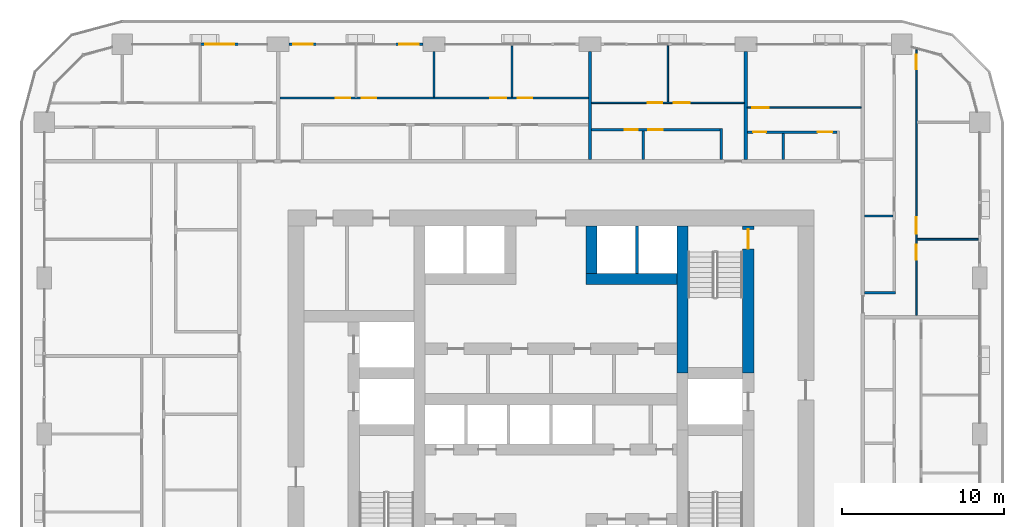
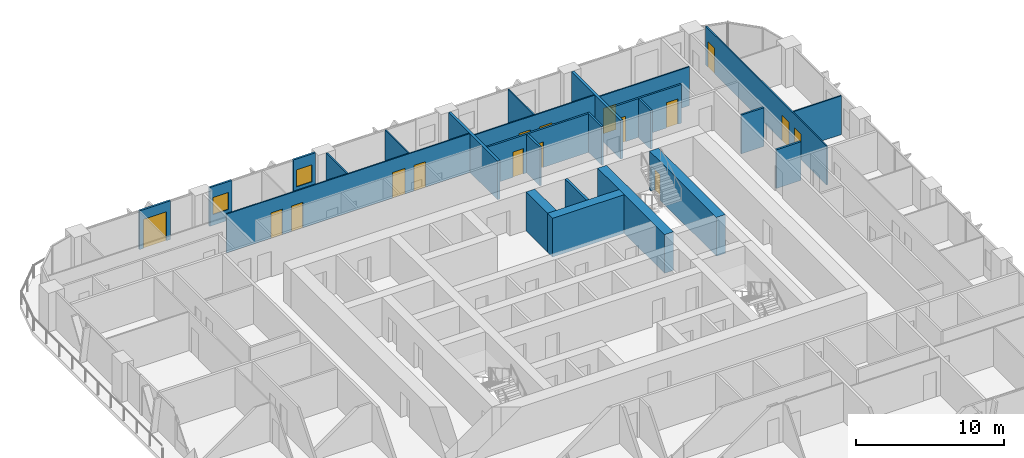
# One storey, part 14 of 21: 25 walls, 16 doors, 2 windows, 18 openings.
"""IFC4 building model written with IfcOpenShell, lengths in metres."""

from ifc_helpers import new_model, si_unit, direction, frame, frame_2d, origin, place, context, subcontext, project, spatial, rectangle, extrude, material, layer, layer_set, type_object, element, fill, save


model = new_model("IFC4")

# Units and contexts
model_context = context("Model", 3, precision=1e-05, world=origin(), true_north=direction((0.0, 1.0)))
body_context = subcontext(model_context, "Body", "Model", "MODEL_VIEW")
ifc_project = project(units=[si_unit("LENGTHUNIT", "METRE"), si_unit("AREAUNIT", "SQUARE_METRE"), si_unit("VOLUMEUNIT", "CUBIC_METRE"), si_unit("PLANEANGLEUNIT", "RADIAN"), si_unit("MASSUNIT", "GRAM", prefix="KILO")], contexts=[model_context])

# Site, building, storey
site_placement = place(None, origin())
site = spatial("IfcSite", under=ifc_project, at=site_placement, CompositionType="ELEMENT")
building_placement = place(site_placement, origin())
building = spatial("IfcBuilding", under=site, at=building_placement, Name="Madar Terraces", CompositionType="ELEMENT")
storey_placement = place(building_placement, frame((0.0, 0.0, 36.39990234375)))
storey = spatial("IfcBuildingStorey", under=building, at=storey_placement, Name="L08", CompositionType="ELEMENT", Elevation=36.39990234375)

# Wall
ifc_material_1 = material(Name="Concrete C80/95", Category="concrete")
ifc_layer_1 = layer(ifc_material_1, 0.699951171875)
ifc_layer_set_1 = layer_set([ifc_layer_1], Name="Concrete C80/95 (CIW1 RC wall 700)")
wall_type_1 = type_object("IfcWallType", Name="CIW1 RC wall 700", PredefinedType="SHEAR", material=ifc_layer_set_1)
wall_1_placement = place(storey_placement, frame((39.300048828125, 27.75, 0.0), z_axis=(0.0, 0.0, 1.0), x_axis=(0.0, 1.0, 0.0)))
element("IfcWall", 1, at=wall_1_placement, inside=storey, type_object=wall_type_1, Name="CORE SHAFT WALL", PredefinedType="SHEAR", context=body_context, shape_type="SweptSolid", body=[
    extrude(rectangle(XDim=9.050048828125, YDim=0.699951171875, at=frame_2d((4.52490234375, 0.0))), origin(), (0.0, 0.0, 1.0), 3.2001953125),
])

# Wall, opening, door
wall_2_placement = place(storey_placement, frame((43.35009765625, 27.75, 0.0), z_axis=(0.0, 0.0, 1.0), x_axis=(0.0, 1.0, 0.0)))
wall_2 = element("IfcWall", 2, at=wall_2_placement, inside=storey, type_object=wall_type_1, Name="CORE SHAFT WALL", PredefinedType="SHEAR", context=body_context, shape_type="SweptSolid", body=[
    extrude(rectangle(XDim=9.050048828125, YDim=0.699951171875, at=frame_2d((4.52490234375, 0.0))), origin(), (0.0, 0.0, 1.0), 3.2001953125),
])
opening_1_placement = place(wall_2_placement, frame((7.64990234375, 0.0, 0.0)))
opening_1 = element("IfcOpeningElement", 3, at=opening_1_placement, cuts=wall_2, Name="Opening SD1", PredefinedType="OPENING", context=body_context, shape_type="SweptSolid", body=[
    extrude(rectangle(XDim=1.199951171875, YDim=2.10009765625, at=frame_2d((0.60009765625, 1.050048828125))), frame((0.0, 0.35986328125, 0.0), z_axis=(0.0, -1.0, 0.0), x_axis=(1.0, 0.0, 0.0)), (0.0, 0.0, 1.0), 0.719970703125),
])
ifc_material_2 = material(Name="Steel door leaf", Category="steel")
door_type_1 = type_object("IfcDoorType", Name="Stair door 1200 x 2100", OperationType="NOTDEFINED", PredefinedType="DOOR", material=ifc_material_2)
door_1_placement = place(opening_1_placement, origin())
door_1 = element("IfcDoor", 4, at=door_1_placement, inside=storey, type_object=door_type_1, Name="STAIR DOOR", OperationType="SINGLE_SWING_RIGHT", OverallHeight=2.10009765625, OverallWidth=1.199951171875, PredefinedType="DOOR", context=body_context, shape_type="SweptSolid", body=[
    extrude(rectangle(XDim=1.199951171875, YDim=2.10009765625, at=frame_2d((0.60009765625, 1.050048828125))), frame((0.0, 0.02490234375, 0.0), z_axis=(0.0, -1.0, 0.0), x_axis=(1.0, 0.0, 0.0)), (0.0, 0.0, 1.0), 0.050048828125),
])
fill(opening_1, door_1)

# Walls
wall_3_placement = place(storey_placement, frame((33.35009765625, 33.550048828125, 0.0), z_axis=(0.0, 0.0, 1.0), x_axis=(1.0, 0.0, 0.0)))
element("IfcWall", 5, at=wall_3_placement, inside=storey, type_object=wall_type_1, Name="CORE SHAFT WALL", PredefinedType="SHEAR", context=body_context, shape_type="SweptSolid", body=[
    extrude(rectangle(XDim=5.599853515625, YDim=0.699951171875, at=frame_2d((2.7998046875, 0.0))), origin(), (0.0, 0.0, 1.0), 3.2001953125),
])
wall_4_placement = place(storey_placement, frame((33.699951171875, 33.89990234375, 0.0), z_axis=(0.0, 0.0, 1.0), x_axis=(0.0, 1.0, 0.0)))
element("IfcWall", 6, at=wall_4_placement, inside=storey, type_object=wall_type_1, Name="CORE SHAFT WALL", PredefinedType="SHEAR", context=body_context, shape_type="SweptSolid", body=[
    extrude(rectangle(XDim=2.900146484375, YDim=0.699951171875, at=frame_2d((1.4501953125, 0.0))), origin(), (0.0, 0.0, 1.0), 3.2001953125),
])
ifc_material_3 = material(Name="Concrete C40/50", Category="concrete")
ifc_layer_2 = layer(ifc_material_3, 0.199951171875)
ifc_layer_set_2 = layer_set([ifc_layer_2], Name="Core shaft dividing wall 200 C40/50")
wall_type_2 = type_object("IfcWallType", Name="Core shaft dividing wall 200 C40/50", PredefinedType="SOLIDWALL", material=ifc_layer_set_2)
wall_5_placement = place(storey_placement, frame((36.5, 33.89990234375, 0.0), z_axis=(0.0, 0.0, 1.0), x_axis=(0.0, 1.0, 0.0)))
element("IfcWall", 7, at=wall_5_placement, inside=storey, type_object=wall_type_2, Name="SHAFT DIVIDING WALL", PredefinedType="SOLIDWALL", context=body_context, shape_type="SweptSolid", body=[
    extrude(rectangle(XDim=2.900146484375, YDim=0.199951171875, at=frame_2d((1.4501953125, 0.0))), origin(), (0.0, 0.0, 1.0), 3.2001953125),
])

# Wall, opening, window
ifc_material_4 = material(Name="Aluminium composite panel, black, over insulated backing", Category="aluminium")
ifc_layer_3 = layer(ifc_material_4, 0.14990234375)
ifc_layer_set_3 = layer_set([ifc_layer_3], Name="Facade bay panel 150")
wall_type_3 = type_object("IfcWallType", Name="Facade bay panel 150", PredefinedType="SOLIDWALL", material=ifc_layer_set_3)
wall_6_placement = place(storey_placement, frame((23.324951171875, 48.0, 0.0), z_axis=(0.0, 0.0, 1.0), x_axis=(-1.0, 0.0, 0.0)))
wall_6 = element("IfcWall", 8, at=wall_6_placement, inside=storey, type_object=wall_type_3, Name="Facade bay panel", PredefinedType="SOLIDWALL", context=body_context, shape_type="SweptSolid", body=[
    extrude(rectangle(XDim=1.724853515625, YDim=0.14990234375, at=frame_2d((0.8623046875, 0.0))), origin(), (0.0, 0.0, 1.0), 3.2001953125),
])
opening_2_placement = place(wall_6_placement, frame((0.262451171875, 0.0, 0.89990234375)))
opening_2 = element("IfcOpeningElement", 9, at=opening_2_placement, cuts=wall_6, Name="Opening W1", PredefinedType="OPENING", context=body_context, shape_type="SweptSolid", body=[
    extrude(rectangle(XDim=1.199951171875, YDim=1.39990234375, at=frame_2d((0.60009765625, 0.699951171875))), frame((0.0, 0.0849609375, 0.0), z_axis=(0.0, -1.0, 0.0), x_axis=(1.0, 0.0, 0.0)), (0.0, 0.0, 1.0), 0.169921875),
])
ifc_material_5 = material(Name="Glass, clear, with black aluminium frame", Category="aluminium")
window_type = type_object("IfcWindowType", Name="Vent window 1200 x 1400", PartitioningType="SINGLE_PANEL", PredefinedType="WINDOW", material=ifc_material_5)
window_1_placement = place(opening_2_placement, origin())
window_1 = element("IfcWindow", 10, at=window_1_placement, inside=storey, type_object=window_type, Name="Operable vent window", OverallHeight=1.39990234375, OverallWidth=1.199951171875, PartitioningType="SINGLE_PANEL", PredefinedType="WINDOW", context=body_context, shape_type="SweptSolid", body=[
    extrude(rectangle(XDim=1.199951171875, YDim=1.39990234375, at=frame_2d((0.60009765625, 0.699951171875))), frame((0.0, 0.030029296875, 0.0), z_axis=(0.0, -1.0, 0.0), x_axis=(1.0, 0.0, 0.0)), (0.0, 0.0, 1.0), 0.06005859375),
])
fill(opening_2, window_1)

wall_7_placement = place(storey_placement, frame((16.800048828125, 48.0, 0.0), z_axis=(0.0, 0.0, 1.0), x_axis=(-1.0, 0.0, 0.0)))
wall_7 = element("IfcWall", 11, at=wall_7_placement, inside=storey, type_object=wall_type_3, Name="Facade bay panel", PredefinedType="SOLIDWALL", context=body_context, shape_type="SweptSolid", body=[
    extrude(rectangle(XDim=1.72509765625, YDim=0.14990234375, at=frame_2d((0.862548828125, 0.0))), origin(), (0.0, 0.0, 1.0), 3.2001953125),
])
opening_3_placement = place(wall_7_placement, frame((0.262451171875, 0.0, 0.89990234375)))
opening_3 = element("IfcOpeningElement", 12, at=opening_3_placement, cuts=wall_7, Name="Opening W1", PredefinedType="OPENING", context=body_context, shape_type="SweptSolid", body=[
    extrude(rectangle(XDim=1.199951171875, YDim=1.39990234375, at=frame_2d((0.60009765625, 0.699951171875))), frame((0.0, 0.0849609375, 0.0), z_axis=(0.0, -1.0, 0.0), x_axis=(1.0, 0.0, 0.0)), (0.0, 0.0, 1.0), 0.169921875),
])
window_2_placement = place(opening_3_placement, origin())
window_2 = element("IfcWindow", 13, at=window_2_placement, inside=storey, type_object=window_type, Name="Operable vent window", OverallHeight=1.39990234375, OverallWidth=1.199951171875, PartitioningType="SINGLE_PANEL", PredefinedType="WINDOW", context=body_context, shape_type="SweptSolid", body=[
    extrude(rectangle(XDim=1.199951171875, YDim=1.39990234375, at=frame_2d((0.60009765625, 0.699951171875))), frame((0.0, 0.030029296875, 0.0), z_axis=(0.0, -1.0, 0.0), x_axis=(1.0, 0.0, 0.0)), (0.0, 0.0, 1.0), 0.06005859375),
])
fill(opening_3, window_2)

# Wall, opening, door
wall_8_placement = place(storey_placement, frame((12.0, 48.0, 0.0), z_axis=(0.0, 0.0, 1.0), x_axis=(-1.0, 0.0, 0.0)))
wall_8 = element("IfcWall", 14, at=wall_8_placement, inside=storey, type_object=wall_type_3, Name="Facade bay panel", PredefinedType="SOLIDWALL", context=body_context, shape_type="SweptSolid", body=[
    extrude(rectangle(XDim=2.39990234375, YDim=0.14990234375, at=frame_2d((1.199951171875, 0.0))), origin(), (0.0, 0.0, 1.0), 3.2001953125),
])
opening_4_placement = place(wall_8_placement, frame((0.300048828125, 0.0, 0.0)))
opening_4 = element("IfcOpeningElement", 15, at=opening_4_placement, cuts=wall_8, Name="Opening ED1", PredefinedType="OPENING", context=body_context, shape_type="SweptSolid", body=[
    extrude(rectangle(XDim=1.800048828125, YDim=2.39990234375, at=frame_2d((0.89990234375, 1.199951171875))), frame((0.0, 0.0849609375, 0.0), z_axis=(0.0, -1.0, 0.0), x_axis=(1.0, 0.0, 0.0)), (0.0, 0.0, 1.0), 0.169921875),
])
ifc_material_6 = material(Name="Glass, clear, with black aluminium frame", Category="aluminium")
door_type_2 = type_object("IfcDoorType", Name="Balcony and terrace sliding door 1800 x 2400", OperationType="SLIDING_TO_LEFT", PredefinedType="DOOR", material=ifc_material_6)
door_2_placement = place(opening_4_placement, origin())
door_2 = element("IfcDoor", 16, at=door_2_placement, inside=storey, type_object=door_type_2, Name="Balcony door", OperationType="SLIDING_TO_LEFT", OverallHeight=2.39990234375, OverallWidth=1.800048828125, PredefinedType="DOOR", context=body_context, shape_type="SweptSolid", body=[
    extrude(rectangle(XDim=1.800048828125, YDim=2.39990234375, at=frame_2d((0.89990234375, 1.199951171875))), frame((0.0, 0.02490234375, 0.0), z_axis=(0.0, -1.0, 0.0), x_axis=(1.0, 0.0, 0.0)), (0.0, 0.0, 1.0), 0.050048828125),
])
fill(opening_4, door_2)

# Wall
ifc_material_7 = material(Name="Gypsum board on steel studs", Category="steel")
ifc_layer_4 = layer(ifc_material_7, 0.10009765625)
ifc_layer_set_4 = layer_set([ifc_layer_4], Name="Flat partition 100")
wall_type_4 = type_object("IfcWallType", Name="Flat partition 100", PredefinedType="PARTITIONING", material=ifc_layer_set_4)
wall_9_placement = place(storey_placement, frame((53.75, 36.0, 0.0), z_axis=(0.0, 0.0, 1.0), x_axis=(1.0, 0.0, 0.0)))
element("IfcWall", 17, at=wall_9_placement, inside=storey, type_object=wall_type_4, Name="Flat partition 100", PredefinedType="PARTITIONING", context=body_context, shape_type="SweptSolid", body=[
    extrude(rectangle(XDim=3.75, YDim=0.10009765625, at=frame_2d((1.875, 0.0))), origin(), (0.0, 0.0, 1.0), 3.2001953125),
])

# Wall, openings, doors
wall_10_placement = place(storey_placement, frame((53.699951171875, 47.65869140625, 0.0), z_axis=(0.0, 0.0, 1.0), x_axis=(0.0, -1.0, 0.0)))
wall_10 = element("IfcWall", 18, at=wall_10_placement, inside=storey, type_object=wall_type_4, Name="Flat partition 100", PredefinedType="PARTITIONING", context=body_context, shape_type="SweptSolid", body=[
    extrude(rectangle(XDim=16.358642578125, YDim=0.10009765625, at=frame_2d((8.17919921875, 0.0))), origin(), (0.0, 0.0, 1.0), 3.2001953125),
])
opening_5_placement = place(wall_10_placement, frame((12.0087890625, 0.0, 0.0)))
opening_5 = element("IfcOpeningElement", 19, at=opening_5_placement, cuts=wall_10, Name="Opening D2", PredefinedType="OPENING", context=body_context, shape_type="SweptSolid", body=[
    extrude(rectangle(XDim=0.89990234375, YDim=2.10009765625, at=frame_2d((0.449951171875, 1.050048828125))), frame((0.0, 0.06005859375, 0.0), z_axis=(0.0, -1.0, 0.0), x_axis=(1.0, 0.0, 0.0)), (0.0, 0.0, 1.0), 0.1201171875),
])
opening_6_placement = place(wall_10_placement, frame((10.308837890625, 0.0, 0.0)))
opening_6 = element("IfcOpeningElement", 20, at=opening_6_placement, cuts=wall_10, Name="Opening D3", PredefinedType="OPENING", context=body_context, shape_type="SweptSolid", body=[
    extrude(rectangle(XDim=1.0, YDim=2.10009765625, at=frame_2d((0.5, 1.050048828125))), frame((0.0, 0.06005859375, 0.0), z_axis=(0.0, -1.0, 0.0), x_axis=(1.0, 0.0, 0.0)), (0.0, 0.0, 1.0), 0.1201171875),
])
opening_7_placement = place(wall_10_placement, frame((0.300048828125, 0.0, 0.0)))
opening_7 = element("IfcOpeningElement", 21, at=opening_7_placement, cuts=wall_10, Name="Opening D2", PredefinedType="OPENING", context=body_context, shape_type="SweptSolid", body=[
    extrude(rectangle(XDim=0.89990234375, YDim=2.10009765625, at=frame_2d((0.449951171875, 1.050048828125))), frame((0.0, 0.06005859375, 0.0), z_axis=(0.0, -1.0, 0.0), x_axis=(1.0, 0.0, 0.0)), (0.0, 0.0, 1.0), 0.1201171875),
])
ifc_material_8 = material(Name="Timber door leaf", Category="wood")
door_type_3 = type_object("IfcDoorType", Name="Flat living room door 1000", OperationType="NOTDEFINED", PredefinedType="DOOR", material=ifc_material_8)
door_3_placement = place(opening_6_placement, origin())
door_3 = element("IfcDoor", 22, at=door_3_placement, inside=storey, type_object=door_type_3, Name="Flat living room door 1000", OperationType="SINGLE_SWING_RIGHT", OverallHeight=2.10009765625, OverallWidth=1.0, PredefinedType="DOOR", context=body_context, shape_type="SweptSolid", body=[
    extrude(rectangle(XDim=1.0, YDim=2.10009765625, at=frame_2d((0.5, 1.050048828125))), frame((0.0, 0.02490234375, 0.0), z_axis=(0.0, -1.0, 0.0), x_axis=(1.0, 0.0, 0.0)), (0.0, 0.0, 1.0), 0.050048828125),
])
fill(opening_6, door_3)
ifc_material_9 = material(Name="Timber door leaf", Category="wood")
door_type_4 = type_object("IfcDoorType", Name="Flat room door 900", OperationType="NOTDEFINED", PredefinedType="DOOR", material=ifc_material_9)
door_4_placement = place(opening_5_placement, origin())
door_4 = element("IfcDoor", 23, at=door_4_placement, inside=storey, type_object=door_type_4, Name="Flat room door 900", OperationType="SINGLE_SWING_LEFT", OverallHeight=2.10009765625, OverallWidth=0.89990234375, PredefinedType="DOOR", context=body_context, shape_type="SweptSolid", body=[
    extrude(rectangle(XDim=0.89990234375, YDim=2.10009765625, at=frame_2d((0.449951171875, 1.050048828125))), frame((0.0, 0.02490234375, 0.0), z_axis=(0.0, -1.0, 0.0), x_axis=(1.0, 0.0, 0.0)), (0.0, 0.0, 1.0), 0.050048828125),
])
fill(opening_5, door_4)
door_5_placement = place(opening_7_placement, origin())
door_5 = element("IfcDoor", 24, at=door_5_placement, inside=storey, type_object=door_type_4, Name="Flat room door 900", OperationType="SINGLE_SWING_LEFT", OverallHeight=2.10009765625, OverallWidth=0.89990234375, PredefinedType="DOOR", context=body_context, shape_type="SweptSolid", body=[
    extrude(rectangle(XDim=0.89990234375, YDim=2.10009765625, at=frame_2d((0.449951171875, 1.050048828125))), frame((0.0, 0.02490234375, 0.0), z_axis=(0.0, -1.0, 0.0), x_axis=(1.0, 0.0, 0.0)), (0.0, 0.0, 1.0), 0.050048828125),
])
fill(opening_7, door_5)

# Wall, opening, door
wall_11_placement = place(storey_placement, frame((43.300048828125, 44.10009765625, 0.0), z_axis=(0.0, 0.0, 1.0), x_axis=(1.0, 0.0, 0.0)))
wall_11 = element("IfcWall", 25, at=wall_11_placement, inside=storey, type_object=wall_type_4, Name="Flat partition 100", PredefinedType="PARTITIONING", context=body_context, shape_type="SweptSolid", body=[
    extrude(rectangle(XDim=7.0, YDim=0.10009765625, at=frame_2d((3.5, 0.0))), origin(), (0.0, 0.0, 1.0), 3.2001953125),
])
opening_8_placement = place(wall_11_placement, frame((0.300048828125, 0.0, 0.0)))
opening_8 = element("IfcOpeningElement", 26, at=opening_8_placement, cuts=wall_11, Name="Opening D3", PredefinedType="OPENING", context=body_context, shape_type="SweptSolid", body=[
    extrude(rectangle(XDim=1.0, YDim=2.10009765625, at=frame_2d((0.5, 1.050048828125))), frame((0.0, 0.06005859375, 0.0), z_axis=(0.0, -1.0, 0.0), x_axis=(1.0, 0.0, 0.0)), (0.0, 0.0, 1.0), 0.1201171875),
])
door_6_placement = place(opening_8_placement, origin())
door_6 = element("IfcDoor", 27, at=door_6_placement, inside=storey, type_object=door_type_3, Name="Flat living room door 1000", OperationType="SINGLE_SWING_LEFT", OverallHeight=2.10009765625, OverallWidth=1.0, PredefinedType="DOOR", context=body_context, shape_type="SweptSolid", body=[
    extrude(rectangle(XDim=1.0, YDim=2.10009765625, at=frame_2d((0.5, 1.050048828125))), frame((0.0, 0.02490234375, 0.0), z_axis=(0.0, -1.0, 0.0), x_axis=(1.0, 0.0, 0.0)), (0.0, 0.0, 1.0), 0.050048828125),
])
fill(opening_8, door_6)

# Wall
wall_12_placement = place(storey_placement, frame((38.39990234375, 44.449951171875, 0.0), z_axis=(0.0, 0.0, 1.0), x_axis=(0.0, 1.0, 0.0)))
element("IfcWall", 28, at=wall_12_placement, inside=storey, type_object=wall_type_4, Name="Flat partition 100", PredefinedType="PARTITIONING", context=body_context, shape_type="SweptSolid", body=[
    extrude(rectangle(XDim=3.449951171875, YDim=0.10009765625, at=frame_2d((1.72509765625, 0.0))), origin(), (0.0, 0.0, 1.0), 3.2001953125),
])

# Wall, openings, doors
wall_13_placement = place(storey_placement, frame((33.699951171875, 44.39990234375, 0.0), z_axis=(0.0, 0.0, 1.0), x_axis=(1.0, 0.0, 0.0)))
wall_13 = element("IfcWall", 29, at=wall_13_placement, inside=storey, type_object=wall_type_4, Name="Flat partition 100", PredefinedType="PARTITIONING", context=body_context, shape_type="SweptSolid", body=[
    extrude(rectangle(XDim=9.400146484375, YDim=0.10009765625, at=frame_2d((4.7001953125, 0.0))), origin(), (0.0, 0.0, 1.0), 3.2001953125),
])
opening_9_placement = place(wall_13_placement, frame((5.050048828125, 0.0, 0.0)))
opening_9 = element("IfcOpeningElement", 30, at=opening_9_placement, cuts=wall_13, Name="Opening D3", PredefinedType="OPENING", context=body_context, shape_type="SweptSolid", body=[
    extrude(rectangle(XDim=1.0, YDim=2.10009765625, at=frame_2d((0.5, 1.050048828125))), frame((0.0, 0.06005859375, 0.0), z_axis=(0.0, -1.0, 0.0), x_axis=(1.0, 0.0, 0.0)), (0.0, 0.0, 1.0), 0.1201171875),
])
opening_10_placement = place(wall_13_placement, frame((3.449951171875, 0.0, 0.0)))
opening_10 = element("IfcOpeningElement", 31, at=opening_10_placement, cuts=wall_13, Name="Opening D2", PredefinedType="OPENING", context=body_context, shape_type="SweptSolid", body=[
    extrude(rectangle(XDim=0.89990234375, YDim=2.10009765625, at=frame_2d((0.449951171875, 1.050048828125))), frame((0.0, 0.06005859375, 0.0), z_axis=(0.0, -1.0, 0.0), x_axis=(1.0, 0.0, 0.0)), (0.0, 0.0, 1.0), 0.1201171875),
])
door_7_placement = place(opening_9_placement, origin())
door_7 = element("IfcDoor", 32, at=door_7_placement, inside=storey, type_object=door_type_3, Name="Flat living room door 1000", OperationType="SINGLE_SWING_LEFT", OverallHeight=2.10009765625, OverallWidth=1.0, PredefinedType="DOOR", context=body_context, shape_type="SweptSolid", body=[
    extrude(rectangle(XDim=1.0, YDim=2.10009765625, at=frame_2d((0.5, 1.050048828125))), frame((0.0, 0.02490234375, 0.0), z_axis=(0.0, -1.0, 0.0), x_axis=(1.0, 0.0, 0.0)), (0.0, 0.0, 1.0), 0.050048828125),
])
fill(opening_9, door_7)
door_8_placement = place(opening_10_placement, origin())
door_8 = element("IfcDoor", 33, at=door_8_placement, inside=storey, type_object=door_type_4, Name="Flat room door 900", OperationType="SINGLE_SWING_RIGHT", OverallHeight=2.10009765625, OverallWidth=0.89990234375, PredefinedType="DOOR", context=body_context, shape_type="SweptSolid", body=[
    extrude(rectangle(XDim=0.89990234375, YDim=2.10009765625, at=frame_2d((0.449951171875, 1.050048828125))), frame((0.0, 0.02490234375, 0.0), z_axis=(0.0, -1.0, 0.0), x_axis=(1.0, 0.0, 0.0)), (0.0, 0.0, 1.0), 0.050048828125),
])
fill(opening_10, door_8)

# Walls
wall_14_placement = place(storey_placement, frame((24.0, 44.75, 0.0), z_axis=(0.0, 0.0, 1.0), x_axis=(0.0, 1.0, 0.0)))
element("IfcWall", 34, at=wall_14_placement, inside=storey, type_object=wall_type_4, Name="Flat partition 100", PredefinedType="PARTITIONING", context=body_context, shape_type="SweptSolid", body=[
    extrude(rectangle(XDim=2.800048828125, YDim=0.10009765625, at=frame_2d((1.39990234375, 0.0))), origin(), (0.0, 0.0, 1.0), 3.2001953125),
])
wall_15_placement = place(storey_placement, frame((28.800048828125, 44.75, 0.0), z_axis=(0.0, 0.0, 1.0), x_axis=(0.0, 1.0, 0.0)))
element("IfcWall", 35, at=wall_15_placement, inside=storey, type_object=wall_type_4, Name="Flat partition 100", PredefinedType="PARTITIONING", context=body_context, shape_type="SweptSolid", body=[
    extrude(rectangle(XDim=3.14990234375, YDim=0.10009765625, at=frame_2d((1.574951171875, 0.0))), origin(), (0.0, 0.0, 1.0), 3.2001953125),
])

# Wall, openings, doors
wall_16_placement = place(storey_placement, frame((14.5, 44.699951171875, 0.0), z_axis=(0.0, 0.0, 1.0), x_axis=(1.0, 0.0, 0.0)))
wall_16 = element("IfcWall", 36, at=wall_16_placement, inside=storey, type_object=wall_type_4, Name="Flat partition 100", PredefinedType="PARTITIONING", context=body_context, shape_type="SweptSolid", body=[
    extrude(rectangle(XDim=19.0, YDim=0.10009765625, at=frame_2d((9.5, 0.0))), origin(), (0.0, 0.0, 1.0), 3.2001953125),
])
opening_11_placement = place(wall_16_placement, frame((3.449951171875, 0.0, 0.0)))
opening_11 = element("IfcOpeningElement", 37, at=opening_11_placement, cuts=wall_16, Name="Opening D2", PredefinedType="OPENING", context=body_context, shape_type="SweptSolid", body=[
    extrude(rectangle(XDim=0.89990234375, YDim=2.10009765625, at=frame_2d((0.449951171875, 1.050048828125))), frame((0.0, 0.06005859375, 0.0), z_axis=(0.0, -1.0, 0.0), x_axis=(1.0, 0.0, 0.0)), (0.0, 0.0, 1.0), 0.1201171875),
])
opening_12_placement = place(wall_16_placement, frame((5.050048828125, 0.0, 0.0)))
opening_12 = element("IfcOpeningElement", 38, at=opening_12_placement, cuts=wall_16, Name="Opening D2", PredefinedType="OPENING", context=body_context, shape_type="SweptSolid", body=[
    extrude(rectangle(XDim=0.89990234375, YDim=2.10009765625, at=frame_2d((0.449951171875, 1.050048828125))), frame((0.0, 0.06005859375, 0.0), z_axis=(0.0, -1.0, 0.0), x_axis=(1.0, 0.0, 0.0)), (0.0, 0.0, 1.0), 0.1201171875),
])
opening_13_placement = place(wall_16_placement, frame((12.949951171875, 0.0, 0.0)))
opening_13 = element("IfcOpeningElement", 39, at=opening_13_placement, cuts=wall_16, Name="Opening D3", PredefinedType="OPENING", context=body_context, shape_type="SweptSolid", body=[
    extrude(rectangle(XDim=1.0, YDim=2.10009765625, at=frame_2d((0.5, 1.050048828125))), frame((0.0, 0.06005859375, 0.0), z_axis=(0.0, -1.0, 0.0), x_axis=(1.0, 0.0, 0.0)), (0.0, 0.0, 1.0), 0.1201171875),
])
opening_14_placement = place(wall_16_placement, frame((14.64990234375, 0.0, 0.0)))
opening_14 = element("IfcOpeningElement", 40, at=opening_14_placement, cuts=wall_16, Name="Opening D2", PredefinedType="OPENING", context=body_context, shape_type="SweptSolid", body=[
    extrude(rectangle(XDim=0.89990234375, YDim=2.10009765625, at=frame_2d((0.449951171875, 1.050048828125))), frame((0.0, 0.06005859375, 0.0), z_axis=(0.0, -1.0, 0.0), x_axis=(1.0, 0.0, 0.0)), (0.0, 0.0, 1.0), 0.1201171875),
])
door_9_placement = place(opening_13_placement, origin())
door_9 = element("IfcDoor", 41, at=door_9_placement, inside=storey, type_object=door_type_3, Name="Flat living room door 1000", OperationType="SINGLE_SWING_RIGHT", OverallHeight=2.10009765625, OverallWidth=1.0, PredefinedType="DOOR", context=body_context, shape_type="SweptSolid", body=[
    extrude(rectangle(XDim=1.0, YDim=2.10009765625, at=frame_2d((0.5, 1.050048828125))), frame((0.0, 0.02490234375, 0.0), z_axis=(0.0, -1.0, 0.0), x_axis=(1.0, 0.0, 0.0)), (0.0, 0.0, 1.0), 0.050048828125),
])
fill(opening_13, door_9)
door_10_placement = place(opening_11_placement, origin())
door_10 = element("IfcDoor", 42, at=door_10_placement, inside=storey, type_object=door_type_4, Name="Flat room door 900", OperationType="SINGLE_SWING_RIGHT", OverallHeight=2.10009765625, OverallWidth=0.89990234375, PredefinedType="DOOR", context=body_context, shape_type="SweptSolid", body=[
    extrude(rectangle(XDim=0.89990234375, YDim=2.10009765625, at=frame_2d((0.449951171875, 1.050048828125))), frame((0.0, 0.02490234375, 0.0), z_axis=(0.0, -1.0, 0.0), x_axis=(1.0, 0.0, 0.0)), (0.0, 0.0, 1.0), 0.050048828125),
])
fill(opening_11, door_10)
door_11_placement = place(opening_12_placement, origin())
door_11 = element("IfcDoor", 43, at=door_11_placement, inside=storey, type_object=door_type_4, Name="Flat room door 900", OperationType="SINGLE_SWING_LEFT", OverallHeight=2.10009765625, OverallWidth=0.89990234375, PredefinedType="DOOR", context=body_context, shape_type="SweptSolid", body=[
    extrude(rectangle(XDim=0.89990234375, YDim=2.10009765625, at=frame_2d((0.449951171875, 1.050048828125))), frame((0.0, 0.02490234375, 0.0), z_axis=(0.0, -1.0, 0.0), x_axis=(1.0, 0.0, 0.0)), (0.0, 0.0, 1.0), 0.050048828125),
])
fill(opening_12, door_11)
door_12_placement = place(opening_14_placement, origin())
door_12 = element("IfcDoor", 44, at=door_12_placement, inside=storey, type_object=door_type_4, Name="Flat room door 900", OperationType="SINGLE_SWING_LEFT", OverallHeight=2.10009765625, OverallWidth=0.89990234375, PredefinedType="DOOR", context=body_context, shape_type="SweptSolid", body=[
    extrude(rectangle(XDim=0.89990234375, YDim=2.10009765625, at=frame_2d((0.449951171875, 1.050048828125))), frame((0.0, 0.02490234375, 0.0), z_axis=(0.0, -1.0, 0.0), x_axis=(1.0, 0.0, 0.0)), (0.0, 0.0, 1.0), 0.050048828125),
])
fill(opening_14, door_12)

# Walls
ifc_material_10 = material(Name="Lightweight blockwork", Category="masonry")
ifc_layer_5 = layer(ifc_material_10, 0.199951171875)
ifc_layer_set_5 = layer_set([ifc_layer_5], Name="Flat party and entrance wall 200")
wall_type_5 = type_object("IfcWallType", Name="Flat party and entrance wall 200", PredefinedType="PARTITIONING", material=ifc_layer_set_5)
for number, where, z_axis, x_axis, name in (
    (45, (43.199951171875, 47.550048828125, 0.0), (0.0, 0.0, 1.0), (0.0, -1.0, 0.0), "Flat party and entrance wall 200"),
    (46, (33.60009765625, 47.550048828125, 0.0), (0.0, 0.0, 1.0), (0.0, -1.0, 0.0), "Flat party and entrance wall 200"),
):
    element("IfcWall", number, at=place(storey_placement, frame(where, z_axis=z_axis, x_axis=x_axis)), inside=storey, type_object=wall_type_5, Name=name, PredefinedType="PARTITIONING", context=body_context, shape_type="SweptSolid", body=[
        extrude(rectangle(XDim=6.650146484375, YDim=0.199951171875, at=frame_2d((3.3251953125, 0.0))), origin(), (0.0, 0.0, 1.0), 3.2001953125),
    ])
ifc_material_11 = material(Name="Lightweight blockwork", Category="masonry")
ifc_layer_6 = layer(ifc_material_11, 0.14990234375)
ifc_layer_set_6 = layer_set([ifc_layer_6], Name="Flat wet-room partition 150")
wall_type_6 = type_object("IfcWallType", Name="Flat wet-room partition 150", PredefinedType="PARTITIONING", material=ifc_layer_set_6)
wall_17_placement = place(storey_placement, frame((50.5, 37.4287109375, 0.0), z_axis=(0.0, 0.0, 1.0), x_axis=(1.0, 0.0, 0.0)))
element("IfcWall", 47, at=wall_17_placement, inside=storey, type_object=wall_type_6, Name="Flat wet-room partition 150", PredefinedType="PARTITIONING", context=body_context, shape_type="SweptSolid", body=[
    extrude(rectangle(XDim=1.77490234375, YDim=0.14990234375, at=frame_2d((0.887451171875, 0.0))), origin(), (0.0, 0.0, 1.0), 3.2001953125),
])
wall_18_placement = place(storey_placement, frame((50.5, 32.699951171875, 0.0), z_axis=(0.0, 0.0, 1.0), x_axis=(1.0, 0.0, 0.0)))
element("IfcWall", 48, at=wall_18_placement, inside=storey, type_object=wall_type_6, Name="Flat wet-room partition 150", PredefinedType="PARTITIONING", context=body_context, shape_type="SweptSolid", body=[
    extrude(rectangle(XDim=1.925048828125, YDim=0.14990234375, at=frame_2d((0.96240234375, 0.0))), origin(), (0.0, 0.0, 1.0), 3.2001953125),
])
wall_19_placement = place(storey_placement, frame((45.510009765625, 40.89990234375, 0.0), z_axis=(0.0, 0.0, 1.0), x_axis=(0.0, 1.0, 0.0)))
element("IfcWall", 49, at=wall_19_placement, inside=storey, type_object=wall_type_6, Name="Flat wet-room partition 150", PredefinedType="PARTITIONING", context=body_context, shape_type="SweptSolid", body=[
    extrude(rectangle(XDim=1.625, YDim=0.14990234375, at=frame_2d((0.8125, 0.0))), origin(), (0.0, 0.0, 1.0), 3.2001953125),
])

# Wall, openings, doors
wall_20_placement = place(storey_placement, frame((48.824951171875, 42.60009765625, 0.0), z_axis=(0.0, 0.0, 1.0), x_axis=(-1.0, 0.0, 0.0)))
wall_20 = element("IfcWall", 50, at=wall_20_placement, inside=storey, type_object=wall_type_6, Name="Flat wet-room partition 150", PredefinedType="PARTITIONING", context=body_context, shape_type="SweptSolid", body=[
    extrude(rectangle(XDim=5.52490234375, YDim=0.14990234375, at=frame_2d((2.762451171875, 0.0))), origin(), (0.0, 0.0, 1.0), 3.2001953125),
])
opening_15_placement = place(wall_20_placement, frame((0.300048828125, 0.0, 0.0)))
opening_15 = element("IfcOpeningElement", 51, at=opening_15_placement, cuts=wall_20, Name="Opening D2", PredefinedType="OPENING", context=body_context, shape_type="SweptSolid", body=[
    extrude(rectangle(XDim=0.89990234375, YDim=2.10009765625, at=frame_2d((0.449951171875, 1.050048828125))), frame((0.0, 0.0849609375, 0.0), z_axis=(0.0, -1.0, 0.0), x_axis=(1.0, 0.0, 0.0)), (0.0, 0.0, 1.0), 0.169921875),
])
opening_16_placement = place(wall_20_placement, frame((4.375, 0.0, 0.0)))
opening_16 = element("IfcOpeningElement", 52, at=opening_16_placement, cuts=wall_20, Name="Opening D4", PredefinedType="OPENING", context=body_context, shape_type="SweptSolid", body=[
    extrude(rectangle(XDim=0.800048828125, YDim=2.10009765625, at=frame_2d((0.39990234375, 1.050048828125))), frame((0.0, 0.0849609375, 0.0), z_axis=(0.0, -1.0, 0.0), x_axis=(1.0, 0.0, 0.0)), (0.0, 0.0, 1.0), 0.169921875),
])
ifc_material_12 = material(Name="Timber door leaf", Category="wood")
door_type_5 = type_object("IfcDoorType", Name="Flat bathroom door 800", OperationType="NOTDEFINED", PredefinedType="DOOR", material=ifc_material_12)
door_13_placement = place(opening_16_placement, origin())
door_13 = element("IfcDoor", 53, at=door_13_placement, inside=storey, type_object=door_type_5, Name="Flat bathroom door 800", OperationType="SINGLE_SWING_RIGHT", OverallHeight=2.10009765625, OverallWidth=0.800048828125, PredefinedType="DOOR", context=body_context, shape_type="SweptSolid", body=[
    extrude(rectangle(XDim=0.800048828125, YDim=2.10009765625, at=frame_2d((0.39990234375, 1.050048828125))), frame((0.0, 0.02490234375, 0.0), z_axis=(0.0, -1.0, 0.0), x_axis=(1.0, 0.0, 0.0)), (0.0, 0.0, 1.0), 0.050048828125),
])
fill(opening_16, door_13)
door_14_placement = place(opening_15_placement, origin())
door_14 = element("IfcDoor", 54, at=door_14_placement, inside=storey, type_object=door_type_4, Name="Flat room door 900", OperationType="SINGLE_SWING_LEFT", OverallHeight=2.10009765625, OverallWidth=0.89990234375, PredefinedType="DOOR", context=body_context, shape_type="SweptSolid", body=[
    extrude(rectangle(XDim=0.89990234375, YDim=2.10009765625, at=frame_2d((0.449951171875, 1.050048828125))), frame((0.0, 0.02490234375, 0.0), z_axis=(0.0, -1.0, 0.0), x_axis=(1.0, 0.0, 0.0)), (0.0, 0.0, 1.0), 0.050048828125),
])
fill(opening_15, door_14)

# Walls
wall_21_placement = place(storey_placement, frame((36.8701171875, 40.89990234375, 0.0), z_axis=(0.0, 0.0, 1.0), x_axis=(0.0, 1.0, 0.0)))
element("IfcWall", 55, at=wall_21_placement, inside=storey, type_object=wall_type_6, Name="Flat wet-room partition 150", PredefinedType="PARTITIONING", context=body_context, shape_type="SweptSolid", body=[
    extrude(rectangle(XDim=1.775146484375, YDim=0.14990234375, at=frame_2d((0.8876953125, 0.0))), origin(), (0.0, 0.0, 1.0), 3.2001953125),
])
wall_22_placement = place(storey_placement, frame((41.699951171875, 40.89990234375, 0.0), z_axis=(0.0, 0.0, 1.0), x_axis=(0.0, 1.0, 0.0)))
element("IfcWall", 56, at=wall_22_placement, inside=storey, type_object=wall_type_6, Name="Flat wet-room partition 150", PredefinedType="PARTITIONING", context=body_context, shape_type="SweptSolid", body=[
    extrude(rectangle(XDim=1.925048828125, YDim=0.14990234375, at=frame_2d((0.96240234375, 0.0))), origin(), (0.0, 0.0, 1.0), 3.2001953125),
])

# Wall, openings, doors
wall_23_placement = place(storey_placement, frame((41.625, 42.75, 0.0), z_axis=(0.0, 0.0, 1.0), x_axis=(-1.0, 0.0, 0.0)))
wall_23 = element("IfcWall", 57, at=wall_23_placement, inside=storey, type_object=wall_type_6, Name="Flat wet-room partition 150", PredefinedType="PARTITIONING", context=body_context, shape_type="SweptSolid", body=[
    extrude(rectangle(XDim=7.925048828125, YDim=0.14990234375, at=frame_2d((3.96240234375, 0.0))), origin(), (0.0, 0.0, 1.0), 3.2001953125),
])
opening_17_placement = place(wall_23_placement, frame((3.530029296875, 0.0, 0.0)))
opening_17 = element("IfcOpeningElement", 58, at=opening_17_placement, cuts=wall_23, Name="Opening D2", PredefinedType="OPENING", context=body_context, shape_type="SweptSolid", body=[
    extrude(rectangle(XDim=0.89990234375, YDim=2.10009765625, at=frame_2d((0.449951171875, 1.050048828125))), frame((0.0, 0.0849609375, 0.0), z_axis=(0.0, -1.0, 0.0), x_axis=(1.0, 0.0, 0.0)), (0.0, 0.0, 1.0), 0.169921875),
])
opening_18_placement = place(wall_23_placement, frame((5.080078125, 0.0, 0.0)))
opening_18 = element("IfcOpeningElement", 59, at=opening_18_placement, cuts=wall_23, Name="Opening D4", PredefinedType="OPENING", context=body_context, shape_type="SweptSolid", body=[
    extrude(rectangle(XDim=0.800048828125, YDim=2.10009765625, at=frame_2d((0.39990234375, 1.050048828125))), frame((0.0, 0.0849609375, 0.0), z_axis=(0.0, -1.0, 0.0), x_axis=(1.0, 0.0, 0.0)), (0.0, 0.0, 1.0), 0.169921875),
])
door_15_placement = place(opening_18_placement, origin())
door_15 = element("IfcDoor", 60, at=door_15_placement, inside=storey, type_object=door_type_5, Name="Flat bathroom door 800", OperationType="SINGLE_SWING_LEFT", OverallHeight=2.10009765625, OverallWidth=0.800048828125, PredefinedType="DOOR", context=body_context, shape_type="SweptSolid", body=[
    extrude(rectangle(XDim=0.800048828125, YDim=2.10009765625, at=frame_2d((0.39990234375, 1.050048828125))), frame((0.0, 0.02490234375, 0.0), z_axis=(0.0, -1.0, 0.0), x_axis=(1.0, 0.0, 0.0)), (0.0, 0.0, 1.0), 0.050048828125),
])
fill(opening_18, door_15)
door_16_placement = place(opening_17_placement, origin())
door_16 = element("IfcDoor", 61, at=door_16_placement, inside=storey, type_object=door_type_4, Name="Flat room door 900", OperationType="SINGLE_SWING_RIGHT", OverallHeight=2.10009765625, OverallWidth=0.89990234375, PredefinedType="DOOR", context=body_context, shape_type="SweptSolid", body=[
    extrude(rectangle(XDim=0.89990234375, YDim=2.10009765625, at=frame_2d((0.449951171875, 1.050048828125))), frame((0.0, 0.02490234375, 0.0), z_axis=(0.0, -1.0, 0.0), x_axis=(1.0, 0.0, 0.0)), (0.0, 0.0, 1.0), 0.050048828125),
])
fill(opening_17, door_16)

save(model, "model.ifc")
